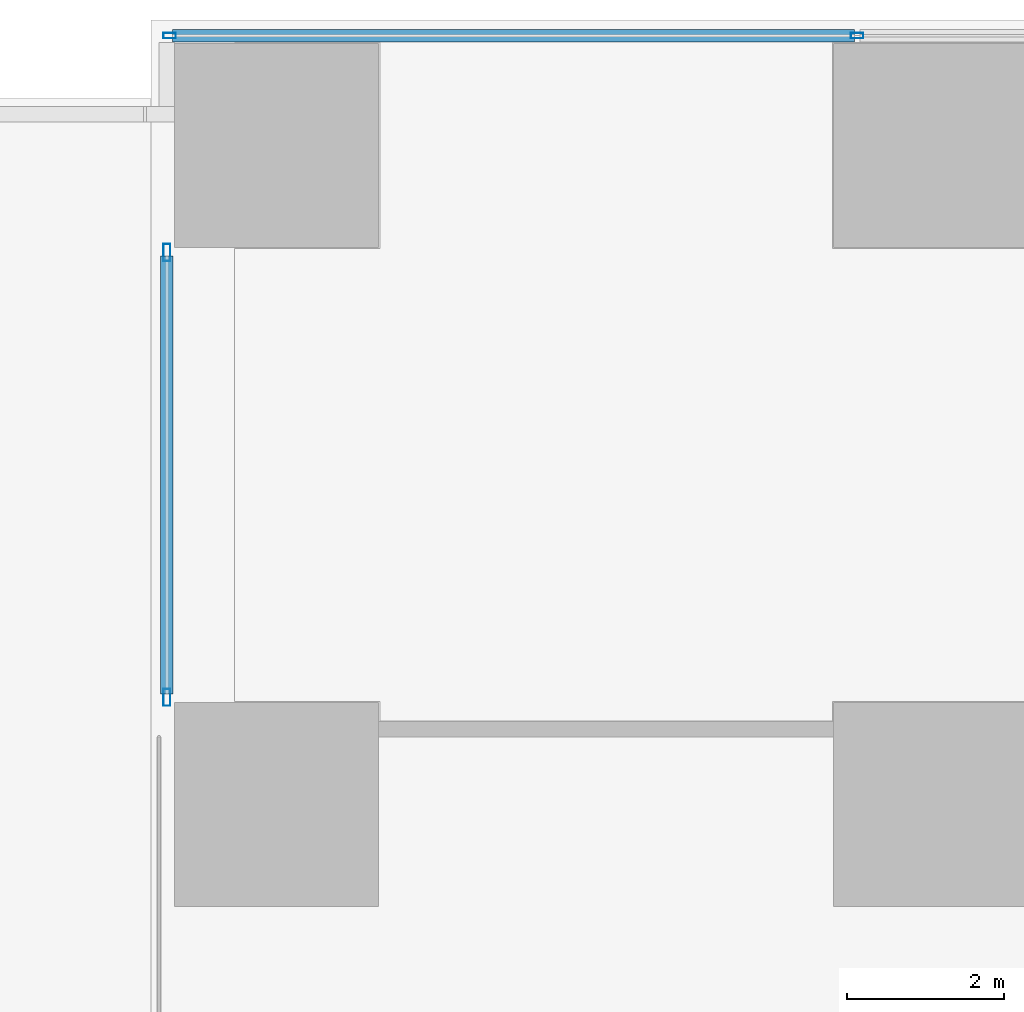
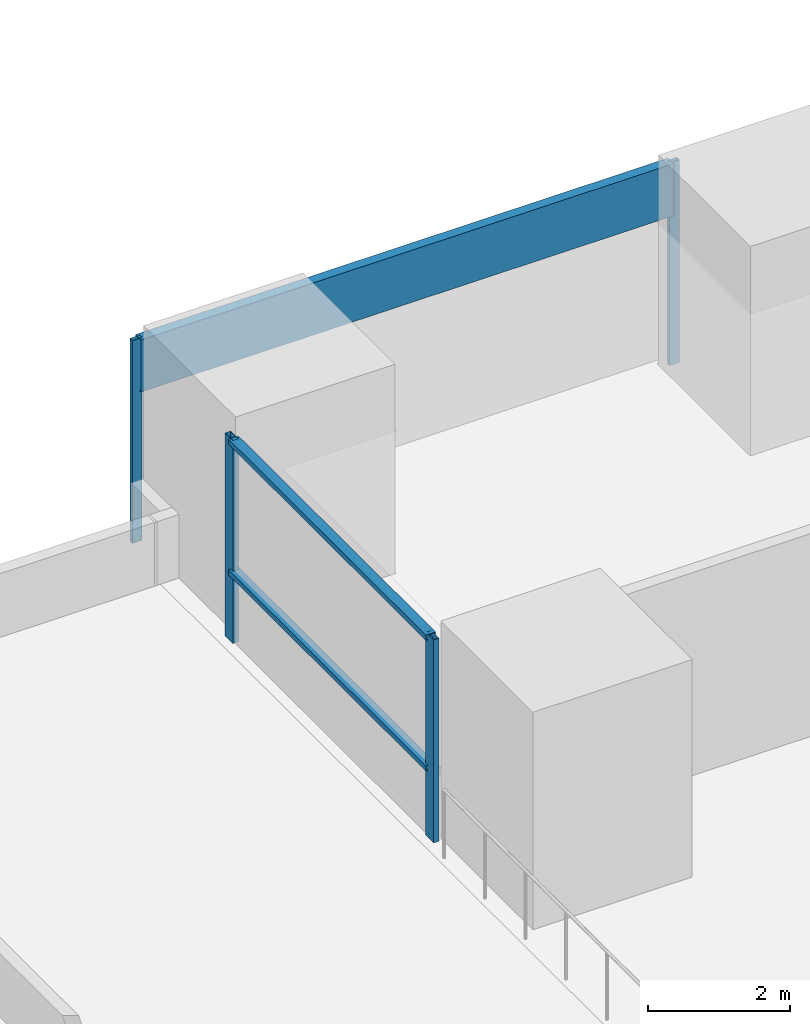
# One storey, part 8 of 35: 7 members, 2 elements without a shape of their own.
"""IFC4 building model written with IfcOpenShell, lengths in metres."""

from ifc_helpers import new_model, si_unit, direction, frame, origin, origin_2d, place, context, subcontext, project, spatial, hollow_rectangle, extrude, material, material_profile, profile_set, type_object, element, aggregate, save


model = new_model("IFC4")

# Units and contexts
model_context = context("Model", 3, precision=1e-05, world=origin(), true_north=direction((0.0, 1.0)))
body_context = subcontext(model_context, "Body", "Model", "MODEL_VIEW")
ifc_project = project(units=[si_unit("LENGTHUNIT", "METRE"), si_unit("AREAUNIT", "SQUARE_METRE"), si_unit("VOLUMEUNIT", "CUBIC_METRE"), si_unit("PLANEANGLEUNIT", "RADIAN"), si_unit("MASSUNIT", "GRAM", prefix="KILO")], contexts=[model_context])

# Site, building, storey
site_placement = place(None, origin())
site = spatial("IfcSite", under=ifc_project, at=site_placement, CompositionType="ELEMENT")
building_placement = place(site_placement, origin())
building = spatial("IfcBuilding", under=site, at=building_placement, Name="Rekha Terrace Tower", CompositionType="ELEMENT")
storey_placement = place(building_placement, frame((0.0, 0.0, 25.39990234375)))
storey = spatial("IfcBuildingStorey", under=building, at=storey_placement, Name="L05", CompositionType="ELEMENT", Elevation=25.39990234375)

# Curtain wall, members
ifc_material_1 = material(Name="Aluminium framing", Category="aluminium")
curtain_wall_type_1 = type_object("IfcCurtainWallType", Name="CW3 north unitised glazing", PredefinedType="USERDEFINED", material=ifc_material_1)
curtain_wall_1_placement = place(storey_placement, origin())
curtain_wall_1 = element("IfcCurtainWall", 1, at=curtain_wall_1_placement, inside=storey, type_object=curtain_wall_type_1, Name="CW3 unitised curtain wall", ObjectType="UNITISED CURTAIN WALL", PredefinedType="USERDEFINED")
ifc_material_2 = material(Name="Aluminium mullion section", Category="aluminium")
ifc_material_profile_1 = material_profile(ifc_material_2, hollow_rectangle(XDim=0.070068359375, YDim=0.159912109375, WallThickness=0.00390625, at=origin_2d()), Name="AL RHS 70x160")
ifc_profile_set_1 = profile_set([ifc_material_profile_1], Name="Aluminium mullion section")
member_type_1 = type_object("IfcMemberType", Name="CW3 mullion RHS 70 x 160", PredefinedType="MULLION", material=ifc_profile_set_1)
member_1_placement = place(storey_placement, frame((15.800048828125, 60.199951171875, 0.0), z_axis=(0.0, 0.0, 1.0), x_axis=(0.0, -1.0, 0.0)))
member_1 = element("IfcMember", 2, at=member_1_placement, type_object=member_type_1, Name="CW3 mullion 7", PredefinedType="MULLION", context=body_context, shape_type="SweptSolid", body=[
    extrude(hollow_rectangle(XDim=0.070068359375, YDim=0.159912109375, WallThickness=0.00390625, at=origin_2d()), origin(), (0.0, 0.0, 1.0), 3.5),
])
member_2_placement = place(storey_placement, frame((7.034912109375, 60.199951171875, 0.0), z_axis=(0.0, 0.0, 1.0), x_axis=(0.0, -1.0, 0.0)))
member_2 = element("IfcMember", 3, at=member_2_placement, type_object=member_type_1, Name="CW3 mullion 8", PredefinedType="MULLION", context=body_context, shape_type="SweptSolid", body=[
    extrude(hollow_rectangle(XDim=0.070068359375, YDim=0.159912109375, WallThickness=0.00390625, at=origin_2d()), origin(), (0.0, 0.0, 1.0), 3.5),
])
ifc_material_3 = material(Name="Insulated aluminium spandrel box", Category="aluminium")
ifc_material_profile_2 = material_profile(ifc_material_3, hollow_rectangle(XDim=0.159912109375, YDim=0.89990234375, WallThickness=0.0029296875, at=origin_2d()), Name="AL SPANDREL BOX 160x900")
ifc_profile_set_2 = profile_set([ifc_material_profile_2], Name="Insulated aluminium spandrel box")
member_type_2 = type_object("IfcMemberType", Name="CW3 spandrel transom 160 x 900", PredefinedType="USERDEFINED", material=ifc_profile_set_2)
member_3_placement = place(storey_placement, frame((15.764892578125, 60.199951171875, 3.050048828125), z_axis=(-1.0, 0.0, 0.0), x_axis=(0.0, -1.0, 0.0)))
member_3 = element("IfcMember", 4, at=member_3_placement, type_object=member_type_2, Name="CW3 spandrel transom 7", ObjectType="TRANSOM", PredefinedType="USERDEFINED", context=body_context, shape_type="SweptSolid", body=[
    extrude(hollow_rectangle(XDim=0.159912109375, YDim=0.89990234375, WallThickness=0.0029296875, at=origin_2d()), origin(), (0.0, 0.0, 1.0), 8.69482421875),
])
aggregate(curtain_wall_1, [member_1, member_2, member_3])

curtain_wall_type_2 = type_object("IfcCurtainWallType", Name="CW5 sky garden glazing", PredefinedType="USERDEFINED", material=ifc_material_1)
curtain_wall_2_placement = place(storey_placement, origin())
curtain_wall_2 = element("IfcCurtainWall", 5, at=curtain_wall_2_placement, inside=storey, type_object=curtain_wall_type_2, Name="CW5 sky garden curtain wall", ObjectType="SKY GARDEN CURTAIN WALL", PredefinedType="USERDEFINED")
ifc_material_profile_3 = material_profile(ifc_material_2, hollow_rectangle(XDim=0.090087890625, YDim=0.219970703125, WallThickness=0.00390625, at=origin_2d()), Name="AL RHS 90x220")
ifc_profile_set_3 = profile_set([ifc_material_profile_3], Name="Aluminium mullion section")
member_type_3 = type_object("IfcMemberType", Name="CW5 mullion RHS 90 x 220", PredefinedType="MULLION", material=ifc_profile_set_3)
member_4_placement = place(storey_placement, frame((7.0, 57.43505859375, 0.0), z_axis=(0.0, 0.0, 1.0), x_axis=(1.0, 0.0, 0.0)))
member_4 = element("IfcMember", 6, at=member_4_placement, type_object=member_type_3, Name="CW5 mullion 1", PredefinedType="MULLION", context=body_context, shape_type="SweptSolid", body=[
    extrude(hollow_rectangle(XDim=0.090087890625, YDim=0.219970703125, WallThickness=0.00390625, at=origin_2d()), origin(), (0.0, 0.0, 1.0), 3.5),
])
member_5_placement = place(storey_placement, frame((7.0, 51.764892578125, 0.0), z_axis=(0.0, 0.0, 1.0), x_axis=(1.0, 0.0, 0.0)))
member_5 = element("IfcMember", 7, at=member_5_placement, type_object=member_type_3, Name="CW5 mullion 2", PredefinedType="MULLION", context=body_context, shape_type="SweptSolid", body=[
    extrude(hollow_rectangle(XDim=0.090087890625, YDim=0.219970703125, WallThickness=0.00390625, at=origin_2d()), origin(), (0.0, 0.0, 1.0), 3.5),
])
ifc_material_4 = material(Name="Aluminium transom section", Category="aluminium")
ifc_material_profile_4 = material_profile(ifc_material_4, hollow_rectangle(XDim=0.159912109375, YDim=0.090087890625, WallThickness=0.0029296875, at=origin_2d()), Name="AL RHS 160x90")
ifc_profile_set_4 = profile_set([ifc_material_profile_4], Name="Aluminium transom section")
member_type_4 = type_object("IfcMemberType", Name="CW5 transom RHS 90 x 160", PredefinedType="USERDEFINED", material=ifc_profile_set_4)
member_6_placement = place(storey_placement, frame((7.0, 57.389892578125, 1.2001953125), z_axis=(0.0, -1.0, 0.0), x_axis=(1.0, 0.0, 0.0)))
member_6 = element("IfcMember", 8, at=member_6_placement, type_object=member_type_4, Name="CW5 transom 1.2", ObjectType="TRANSOM", PredefinedType="USERDEFINED", context=body_context, shape_type="SweptSolid", body=[
    extrude(hollow_rectangle(XDim=0.159912109375, YDim=0.090087890625, WallThickness=0.0029296875, at=origin_2d()), origin(), (0.0, 0.0, 1.0), 5.579833984375),
])
member_7_placement = place(storey_placement, frame((7.0, 57.389892578125, 3.455078125), z_axis=(0.0, -1.0, 0.0), x_axis=(1.0, 0.0, 0.0)))
member_7 = element("IfcMember", 9, at=member_7_placement, type_object=member_type_4, Name="CW5 transom 1.3", ObjectType="TRANSOM", PredefinedType="USERDEFINED", context=body_context, shape_type="SweptSolid", body=[
    extrude(hollow_rectangle(XDim=0.159912109375, YDim=0.090087890625, WallThickness=0.0029296875, at=origin_2d()), origin(), (0.0, 0.0, 1.0), 5.579833984375),
])
aggregate(curtain_wall_2, [member_4, member_5, member_6, member_7])

save(model, "model.ifc")
